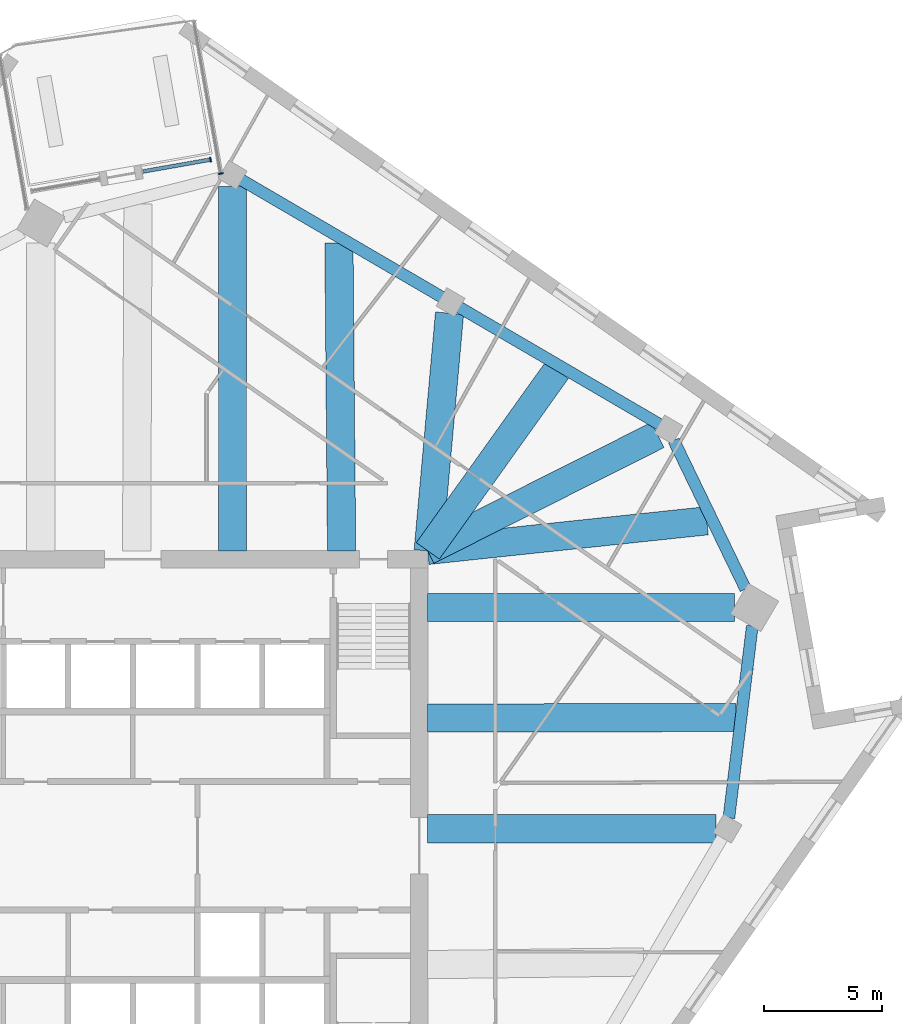
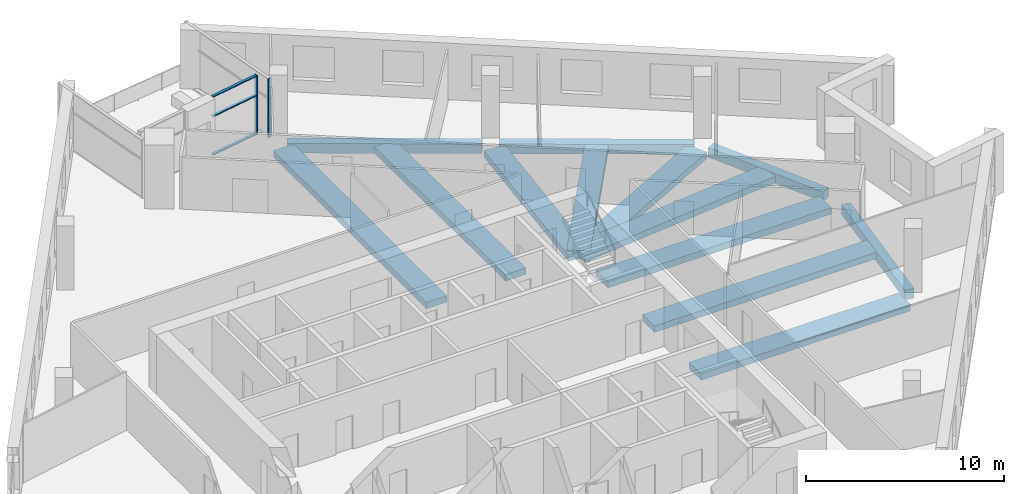
# One storey, part 3 of 13: 13 beams, 5 members, 2 elements without a shape of their own.
"""IFC4 building model written with IfcOpenShell, lengths in metres."""

from ifc_helpers import new_model, si_unit, direction, frame, origin, origin_2d, place, context, subcontext, project, spatial, rectangle, extrude, material, material_profile, profile_set, type_object, element, aggregate, save


model = new_model("IFC4")

# Units and contexts
model_context = context("Model", 3, precision=1e-05, world=origin(), true_north=direction((0.0, 1.0)))
body_context = subcontext(model_context, "Body", "Model", "MODEL_VIEW")
ifc_project = project(units=[si_unit("LENGTHUNIT", "METRE"), si_unit("AREAUNIT", "SQUARE_METRE"), si_unit("VOLUMEUNIT", "CUBIC_METRE"), si_unit("PLANEANGLEUNIT", "RADIAN"), si_unit("MASSUNIT", "GRAM", prefix="KILO")], contexts=[model_context])

# Site, building, storey
site_placement = place(None, origin())
site = spatial("IfcSite", under=ifc_project, at=site_placement, CompositionType="ELEMENT")
building_placement = place(site_placement, origin())
building = spatial("IfcBuilding", under=site, at=building_placement, Name="Dilmun Exchange Tower", CompositionType="ELEMENT")
storey_placement = place(building_placement, frame((0.0, 0.0, 246.89990234375)))
storey = spatial("IfcBuildingStorey", under=building, at=storey_placement, Name="L58", CompositionType="ELEMENT", Elevation=246.89990234375)

# Curtain wall, member
ifc_material_1 = material(Name="Anodised aluminium and clear glass", Category="aluminium")
curtain_wall_type = type_object("IfcCurtainWallType", Name="Garden corner glazing", PredefinedType="NOTDEFINED", material=ifc_material_1)
curtain_wall_1_placement = place(storey_placement, origin())
curtain_wall_1 = element("IfcCurtainWall", 1, at=curtain_wall_1_placement, inside=storey, type_object=curtain_wall_type, Name="Garden corner glazing run GC1.1", PredefinedType="NOTDEFINED")
ifc_material_2 = material(Name="Anodised aluminium", Category="aluminium")
ifc_material_profile_1 = material_profile(ifc_material_2, rectangle(XDim=0.199951171875, YDim=0.06005859375, at=origin_2d()), Name="AL 60x200")
ifc_profile_set_1 = profile_set([ifc_material_profile_1], Name="Anodised aluminium")
member_type_1 = type_object("IfcMemberType", Name="Garden corner glazing mullion 60 x 200", PredefinedType="MULLION", material=ifc_profile_set_1)
member_1_placement = place(storey_placement, frame((3.74169921875, 28.55810546875, 0.0), z_axis=(0.0, 0.0, 1.0), x_axis=(0.984807359836, 0.173650407466, 0.0)))
member_1 = element("IfcMember", 2, at=member_1_placement, type_object=member_type_1, Name="GC1.1 mullion 2", PredefinedType="MULLION", context=body_context, shape_type="SweptSolid", body=[
    extrude(rectangle(XDim=0.199951171875, YDim=0.06005859375, at=origin_2d()), origin(), (0.0, 0.0, 1.0), 3.64013671875),
])
aggregate(curtain_wall_1, [member_1])

# Curtain wall, members
curtain_wall_2_placement = place(storey_placement, origin())
curtain_wall_2 = element("IfcCurtainWall", 3, at=curtain_wall_2_placement, inside=storey, type_object=curtain_wall_type, Name="Garden corner glazing run GC2.1", PredefinedType="NOTDEFINED")
member_2_placement = place(storey_placement, frame((3.3017578125, 29.15234375, 0.0), z_axis=(0.0, 0.0, 1.0), x_axis=(0.173630743351, -0.984810826993, 0.0)))
member_2 = element("IfcMember", 4, at=member_2_placement, type_object=member_type_1, Name="GC2.1 mullion 1", PredefinedType="MULLION", context=body_context, shape_type="SweptSolid", body=[
    extrude(rectangle(XDim=0.199951171875, YDim=0.06005859375, at=origin_2d()), origin(), (0.0, 0.0, 1.0), 3.64013671875),
])
ifc_material_profile_2 = material_profile(ifc_material_2, rectangle(XDim=0.159912109375, YDim=0.06005859375, at=origin_2d()), Name="AL 60x160")
ifc_profile_set_2 = profile_set([ifc_material_profile_2], Name="Anodised aluminium")
member_type_2 = type_object("IfcMemberType", Name="Garden corner glazing transom 60 x 160", PredefinedType="USERDEFINED", material=ifc_profile_set_2)
member_3_placement = place(storey_placement, frame((3.272216796875, 29.14697265625, 0.030029296875), z_axis=(-0.984816950826, -0.173596006194, 0.0), x_axis=(0.173596006194, -0.984816950826, 0.0)))
member_3 = element("IfcMember", 5, at=member_3_placement, type_object=member_type_2, Name="GC2.1 transom 1.1", ObjectType="TRANSOM", PredefinedType="USERDEFINED", context=body_context, shape_type="SweptSolid", body=[
    extrude(rectangle(XDim=0.159912109375, YDim=0.06005859375, at=origin_2d()), origin(), (0.0, 0.0, 1.0), 2.868896484375),
])
member_4_placement = place(storey_placement, frame((3.272216796875, 29.14697265625, 2.400146484375), z_axis=(-0.984816950826, -0.173596006194, 0.0), x_axis=(0.173596006194, -0.984816950826, 0.0)))
member_4 = element("IfcMember", 6, at=member_4_placement, type_object=member_type_2, Name="GC2.1 transom 1.2", ObjectType="TRANSOM", PredefinedType="USERDEFINED", context=body_context, shape_type="SweptSolid", body=[
    extrude(rectangle(XDim=0.159912109375, YDim=0.06005859375, at=origin_2d()), origin(), (0.0, 0.0, 1.0), 2.868896484375),
])
member_5_placement = place(storey_placement, frame((3.272216796875, 29.14697265625, 3.610107421875), z_axis=(-0.984816950826, -0.173596006194, 0.0), x_axis=(0.173596006194, -0.984816950826, 0.0)))
member_5 = element("IfcMember", 7, at=member_5_placement, type_object=member_type_2, Name="GC2.1 transom 1.3", ObjectType="TRANSOM", PredefinedType="USERDEFINED", context=body_context, shape_type="SweptSolid", body=[
    extrude(rectangle(XDim=0.159912109375, YDim=0.06005859375, at=origin_2d()), origin(), (0.0, 0.0, 1.0), 2.868896484375),
])
aggregate(curtain_wall_2, [member_2, member_3, member_4, member_5])

# Beams
ifc_material_3 = material(Name="Concrete C40/50", Category="concrete")
ifc_material_profile_3 = material_profile(ifc_material_3, rectangle(XDim=1.199951171875, YDim=0.39990234375, at=origin_2d()), Name="1200 x 400")
ifc_profile_set_3 = profile_set([ifc_material_profile_3], Name="Concrete C40/50")
beam_type_1 = type_object("IfcBeamType", Name="RC band beam 1200 x 400 C40/50", PredefinedType="BEAM", material=ifc_profile_set_3)
beam_1_placement = place(storey_placement, frame((24.773681640625, 0.721923828125, -0.659912109375), z_axis=(-1.0, 0.0, 0.0), x_axis=(0.0, -1.0, 0.0)))
element("IfcBeam", 8, at=beam_1_placement, inside=storey, type_object=beam_type_1, Name="Band beam 12", PredefinedType="BEAM", context=body_context, shape_type="SweptSolid", body=[
    extrude(rectangle(XDim=1.199951171875, YDim=0.39990234375, at=origin_2d()), origin(), (0.0, 0.0, 1.0), 12.250732421875),
])
beam_2_placement = place(storey_placement, frame((25.5732421875, 10.1220703125, -0.659912109375), z_axis=(-1.0, 0.0, 0.0), x_axis=(0.0, -1.0, 0.0)))
element("IfcBeam", 9, at=beam_2_placement, inside=storey, type_object=beam_type_1, Name="Band beam 13", PredefinedType="BEAM", context=body_context, shape_type="SweptSolid", body=[
    extrude(rectangle(XDim=1.199951171875, YDim=0.39990234375, at=origin_2d()), origin(), (0.0, 0.0, 1.0), 13.05029296875),
])
beam_3_placement = place(storey_placement, frame((22.302734375, 17.453125, -0.659912109375), z_axis=(-0.893443377394, -0.449175835716, 0.0), x_axis=(0.449175835716, -0.893443377394, 0.0)))
element("IfcBeam", 10, at=beam_3_placement, inside=storey, type_object=beam_type_1, Name="Band beam 14", PredefinedType="BEAM", context=body_context, shape_type="SweptSolid", body=[
    extrude(rectangle(XDim=1.199951171875, YDim=0.39990234375, at=origin_2d()), origin(), (0.0, 0.0, 1.0), 10.94287109375),
])
beam_4_placement = place(storey_placement, frame((13.456787109375, 22.625732421875, -0.659912109375), z_axis=(-0.089632924375, -0.995974868593, 0.0), x_axis=(0.995974868593, -0.089632924375, 0.0)))
element("IfcBeam", 11, at=beam_4_placement, inside=storey, type_object=beam_type_1, Name="Band beam 15", PredefinedType="BEAM", context=body_context, shape_type="SweptSolid", body=[
    extrude(rectangle(XDim=1.199951171875, YDim=0.39990234375, at=origin_2d()), origin(), (0.0, 0.0, 1.0), 10.143310546875),
])
beam_5_placement = place(storey_placement, frame((4.239990234375, 28.01171875, -0.659912109375), z_axis=(0.0, -1.0, 0.0), x_axis=(1.0, 0.0, 0.0)))
element("IfcBeam", 12, at=beam_5_placement, inside=storey, type_object=beam_type_1, Name="Band beam 16", PredefinedType="BEAM", context=body_context, shape_type="SweptSolid", body=[
    extrude(rectangle(XDim=1.199951171875, YDim=0.39990234375, at=origin_2d()), origin(), (0.0, 0.0, 1.0), 15.48876953125),
])
beam_6_placement = place(storey_placement, frame((25.6201171875, 5.448974609375, -0.559814453125), z_axis=(-0.999997897774, -0.002050474756, 0.0), x_axis=(0.002050474756, -0.999997897774, 0.0)))
element("IfcBeam", 13, at=beam_6_placement, inside=storey, type_object=beam_type_1, Name="Band beam 28", PredefinedType="BEAM", context=body_context, shape_type="SweptSolid", body=[
    extrude(rectangle(XDim=1.199951171875, YDim=0.39990234375, at=origin_2d()), origin(), (0.0, 0.0, 1.0), 13.09716796875),
])
beam_7_placement = place(storey_placement, frame((24.3857421875, 13.804931640625, -0.559814453125), z_axis=(-0.994425543871, -0.105441157505, 0.0), x_axis=(0.105441157505, -0.994425543871, 0.0)))
element("IfcBeam", 14, at=beam_7_placement, inside=storey, type_object=beam_type_1, Name="Band beam 29", PredefinedType="BEAM", context=body_context, shape_type="SweptSolid", body=[
    extrude(rectangle(XDim=1.199951171875, YDim=0.39990234375, at=origin_2d()), origin(), (0.0, 0.0, 1.0), 11.928955078125),
])
beam_8_placement = place(storey_placement, frame((18.01611328125, 20.195556640625, -0.559814453125), z_axis=(-0.581600762294, -0.81347437163, 0.0), x_axis=(0.81347437163, -0.581600762294, 0.0)))
element("IfcBeam", 15, at=beam_8_placement, inside=storey, type_object=beam_type_1, Name="Band beam 30", PredefinedType="BEAM", context=body_context, shape_type="SweptSolid", body=[
    extrude(rectangle(XDim=1.199951171875, YDim=0.39990234375, at=origin_2d()), origin(), (0.0, 0.0, 1.0), 9.425537109375),
])
beam_9_placement = place(storey_placement, frame((8.757080078125, 25.607421875, -0.559814453125), z_axis=(0.008582734208, -0.999963167658, 0.0), x_axis=(0.999963167658, 0.008582734208, 0.0)))
element("IfcBeam", 16, at=beam_9_placement, inside=storey, type_object=beam_type_1, Name="Band beam 31", PredefinedType="BEAM", context=body_context, shape_type="SweptSolid", body=[
    extrude(rectangle(XDim=1.199951171875, YDim=0.39990234375, at=origin_2d()), origin(), (0.0, 0.0, 1.0), 13.0849609375),
])
ifc_material_profile_4 = material_profile(ifc_material_3, rectangle(XDim=0.5, YDim=0.60009765625, at=origin_2d()), Name="500 x 600")
ifc_profile_set_4 = profile_set([ifc_material_profile_4], Name="Concrete C40/50")
beam_type_2 = type_object("IfcBeamType", Name="RC ring beam 500 x 600 C40/50", PredefinedType="SPANDREL", material=ifc_profile_set_4)
beam_10_placement = place(storey_placement, frame((25.32421875, 1.181640625, -0.659912109375), z_axis=(0.121108645076, 0.992639257781, 0.0), x_axis=(-0.992639257781, 0.121108645076, 0.0)))
element("IfcBeam", 17, at=beam_10_placement, inside=storey, type_object=beam_type_2, Name="Ring beam 12", PredefinedType="SPANDREL", context=body_context, shape_type="SweptSolid", body=[
    extrude(rectangle(XDim=0.5, YDim=0.60009765625, at=origin_2d()), origin(), (0.0, 0.0, 1.0), 8.216796875),
])
beam_11_placement = place(storey_placement, frame((26.033447265625, 10.910888671875, -0.659912109375), z_axis=(-0.435439794363, 0.900217854458, 0.0), x_axis=(-0.900217854458, -0.435439794363, 0.0)))
element("IfcBeam", 18, at=beam_11_placement, inside=storey, type_object=beam_type_2, Name="Ring beam 13", PredefinedType="SPANDREL", context=body_context, shape_type="SweptSolid", body=[
    extrude(rectangle(XDim=0.5, YDim=0.60009765625, at=origin_2d()), origin(), (0.0, 0.0, 1.0), 7.0068359375),
])
beam_12_placement = place(storey_placement, frame((22.392822265625, 17.8955078125, -0.659912109375), z_axis=(-0.863333071594, 0.504634528637, 0.0), x_axis=(-0.504634528637, -0.863333071594, 0.0)))
element("IfcBeam", 19, at=beam_12_placement, inside=storey, type_object=beam_type_2, Name="Ring beam 14", PredefinedType="SPANDREL", context=body_context, shape_type="SweptSolid", body=[
    extrude(rectangle(XDim=0.5, YDim=0.60009765625, at=origin_2d()), origin(), (0.0, 0.0, 1.0), 9.878662109375),
])
beam_13_placement = place(storey_placement, frame((13.1337890625, 23.3076171875, -0.659912109375), z_axis=(-0.863343838609, 0.504616107884, 0.0), x_axis=(-0.504616107884, -0.863343838609, 0.0)))
element("IfcBeam", 20, at=beam_13_placement, inside=storey, type_object=beam_type_2, Name="Ring beam 15", PredefinedType="SPANDREL", context=body_context, shape_type="SweptSolid", body=[
    extrude(rectangle(XDim=0.5, YDim=0.60009765625, at=origin_2d()), origin(), (0.0, 0.0, 1.0), 9.87841796875),
])

save(model, "model.ifc")
